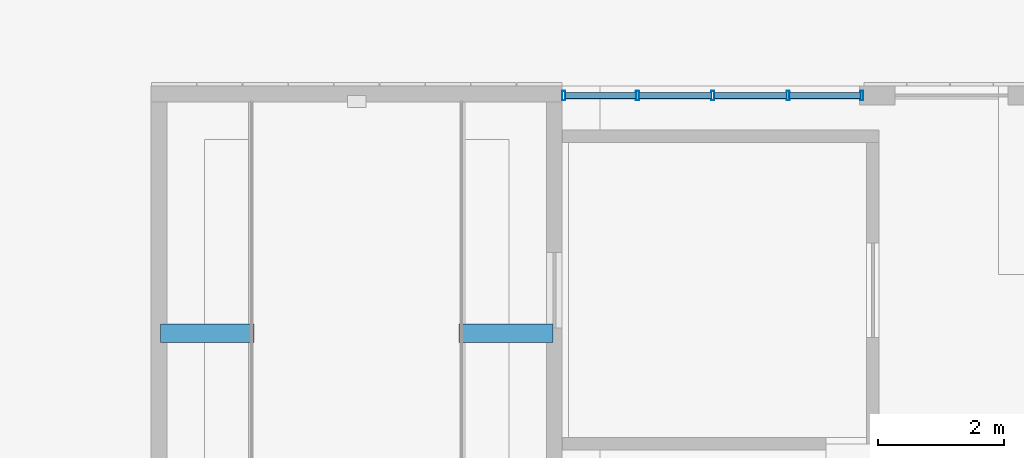
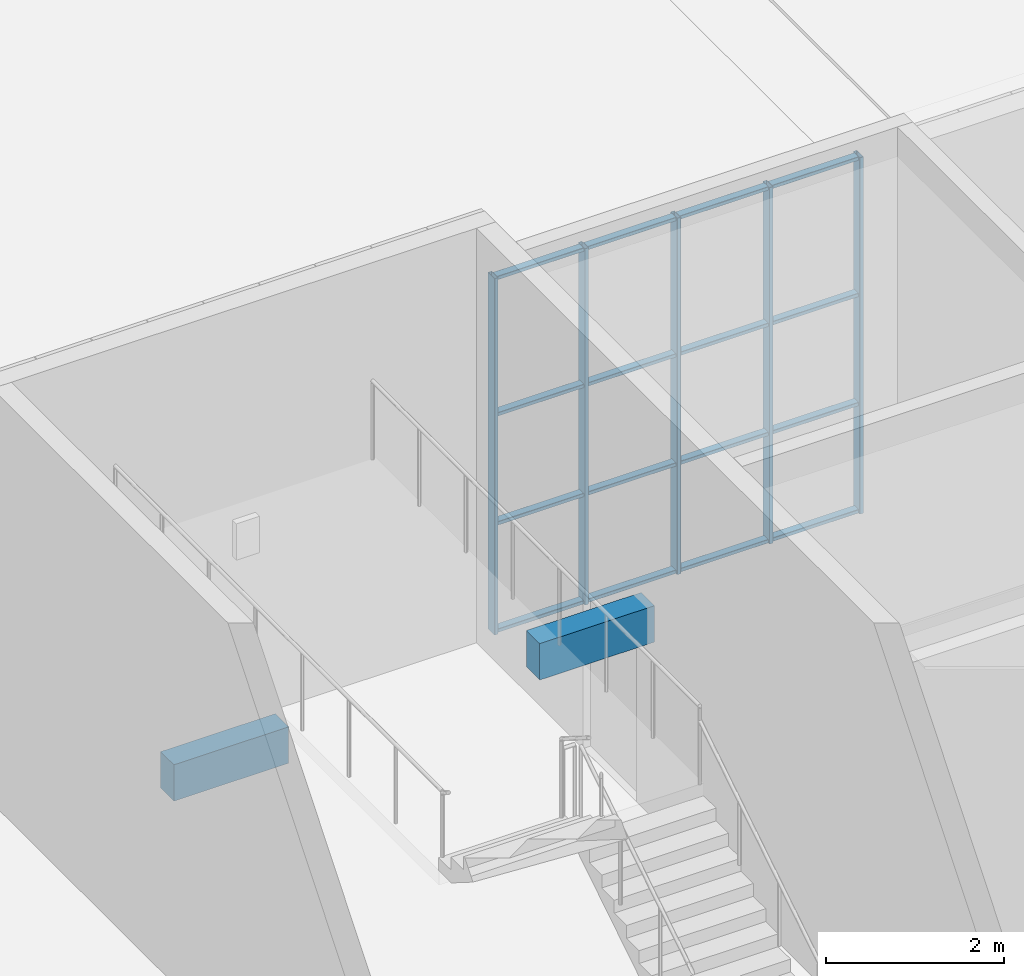
# One storey, part 19 of 125: 21 members, 2 beams, 1 element without a shape of its own.
"""IFC4 building model written with IfcOpenShell, lengths in metres."""

from ifc_helpers import new_model, si_unit, direction, frame, origin, origin_2d, place, context, subcontext, project, spatial, rectangle, hollow_rectangle, extrude, material, material_profile, profile_set, type_object, element, aggregate, save


model = new_model("IFC4")

# Units and contexts
model_context = context("Model", 3, precision=1e-05, world=origin(), true_north=direction((0.0, 1.0)))
body_context = subcontext(model_context, "Body", "Model", "MODEL_VIEW")
ifc_project = project(units=[si_unit("LENGTHUNIT", "METRE"), si_unit("AREAUNIT", "SQUARE_METRE"), si_unit("VOLUMEUNIT", "CUBIC_METRE"), si_unit("PLANEANGLEUNIT", "RADIAN"), si_unit("MASSUNIT", "GRAM", prefix="KILO")], contexts=[model_context])

# Site, building, storey
site_placement = place(None, origin())
site = spatial("IfcSite", under=ifc_project, at=site_placement, CompositionType="ELEMENT")
building_placement = place(site_placement, origin())
building = spatial("IfcBuilding", under=site, at=building_placement, Name="Sun Court Science Centre", CompositionType="ELEMENT")
storey_placement = place(building_placement, origin())
storey = spatial("IfcBuildingStorey", under=building, at=storey_placement, Name="L00", CompositionType="ELEMENT", Elevation=0.0)

# Curtain wall, members
ifc_material_1 = material(Name="Aluminium EN AW-6063 T6", Category="aluminium")
curtain_wall_type = type_object("IfcCurtainWallType", Name="Pavilion curtain wall 1200", PredefinedType="NOTDEFINED", material=ifc_material_1)
curtain_wall_placement = place(storey_placement, origin())
curtain_wall = element("IfcCurtainWall", 1, at=curtain_wall_placement, inside=storey, type_object=curtain_wall_type, Name="Curtain wall V5 N L00 01", PredefinedType="NOTDEFINED")
ifc_material_2 = material(Name="Aluminium EN AW-6063 T6", Category="aluminium")
ifc_material_profile_1 = material_profile(ifc_material_2, hollow_rectangle(XDim=0.050048828125, YDim=0.14990234375, WallThickness=0.00390625, InnerFilletRadius=0.00390625, OuterFilletRadius=0.006103515625, at=origin_2d()), Name="AL 50x150x4")
ifc_profile_set_1 = profile_set([ifc_material_profile_1], Name="Aluminium EN AW-6063 T6")
member_type_1 = type_object("IfcMemberType", Name="Curtain wall mullion AL 50x150", PredefinedType="MULLION", material=ifc_profile_set_1)
member_1_placement = place(storey_placement, frame((42.574951171875, 49.85009765625, 0.0), z_axis=(0.0, 0.0, 1.0), x_axis=(1.0, 0.0, 0.0)))
member_1 = element("IfcMember", 2, at=member_1_placement, type_object=member_type_1, Name="CW3-11 mullion 1", PredefinedType="MULLION", context=body_context, shape_type="SweptSolid", body=[
    extrude(hollow_rectangle(XDim=0.050048828125, YDim=0.14990234375, WallThickness=0.00390625, InnerFilletRadius=0.00390625, OuterFilletRadius=0.006103515625, at=origin_2d()), origin(), (0.0, 0.0, 1.0), 4.89990234375),
])
member_2_placement = place(storey_placement, frame((43.75, 49.85009765625, 0.0), z_axis=(0.0, 0.0, 1.0), x_axis=(1.0, 0.0, 0.0)))
member_2 = element("IfcMember", 3, at=member_2_placement, type_object=member_type_1, Name="CW3-11 mullion 2", PredefinedType="MULLION", context=body_context, shape_type="SweptSolid", body=[
    extrude(hollow_rectangle(XDim=0.050048828125, YDim=0.14990234375, WallThickness=0.00390625, InnerFilletRadius=0.00390625, OuterFilletRadius=0.006103515625, at=origin_2d()), origin(), (0.0, 0.0, 1.0), 4.89990234375),
])
member_3_placement = place(storey_placement, frame((44.949951171875, 49.85009765625, 0.0), z_axis=(0.0, 0.0, 1.0), x_axis=(1.0, 0.0, 0.0)))
member_3 = element("IfcMember", 4, at=member_3_placement, type_object=member_type_1, Name="CW3-11 mullion 3", PredefinedType="MULLION", context=body_context, shape_type="SweptSolid", body=[
    extrude(hollow_rectangle(XDim=0.050048828125, YDim=0.14990234375, WallThickness=0.00390625, InnerFilletRadius=0.00390625, OuterFilletRadius=0.006103515625, at=origin_2d()), origin(), (0.0, 0.0, 1.0), 4.89990234375),
])
member_4_placement = place(storey_placement, frame((46.14990234375, 49.85009765625, 0.0), z_axis=(0.0, 0.0, 1.0), x_axis=(1.0, 0.0, 0.0)))
member_4 = element("IfcMember", 5, at=member_4_placement, type_object=member_type_1, Name="CW3-11 mullion 4", PredefinedType="MULLION", context=body_context, shape_type="SweptSolid", body=[
    extrude(hollow_rectangle(XDim=0.050048828125, YDim=0.14990234375, WallThickness=0.00390625, InnerFilletRadius=0.00390625, OuterFilletRadius=0.006103515625, at=origin_2d()), origin(), (0.0, 0.0, 1.0), 4.89990234375),
])
member_5_placement = place(storey_placement, frame((47.324951171875, 49.85009765625, 0.0), z_axis=(0.0, 0.0, 1.0), x_axis=(1.0, 0.0, 0.0)))
member_5 = element("IfcMember", 6, at=member_5_placement, type_object=member_type_1, Name="CW3-11 mullion 5", PredefinedType="MULLION", context=body_context, shape_type="SweptSolid", body=[
    extrude(hollow_rectangle(XDim=0.050048828125, YDim=0.14990234375, WallThickness=0.00390625, InnerFilletRadius=0.00390625, OuterFilletRadius=0.006103515625, at=origin_2d()), origin(), (0.0, 0.0, 1.0), 4.89990234375),
])
ifc_material_3 = material(Name="Aluminium EN AW-6063 T6", Category="aluminium")
ifc_material_profile_2 = material_profile(ifc_material_3, hollow_rectangle(XDim=0.050048828125, YDim=0.10009765625, WallThickness=0.00390625, InnerFilletRadius=0.00390625, OuterFilletRadius=0.006103515625, at=origin_2d()), Name="AL 50x100x4")
ifc_profile_set_2 = profile_set([ifc_material_profile_2], Name="Aluminium EN AW-6063 T6")
member_type_2 = type_object("IfcMemberType", Name="Curtain wall transom AL 50x100", PredefinedType="USERDEFINED", material=ifc_profile_set_2)
member_6_placement = place(storey_placement, frame((42.60009765625, 49.85009765625, 0.02490234375), z_axis=(1.0, 0.0, 0.0), x_axis=(0.0, 0.0, 1.0)))
member_6 = element("IfcMember", 7, at=member_6_placement, type_object=member_type_2, Name="CW3-11 transom 1.1", ObjectType="TRANSOM", PredefinedType="USERDEFINED", context=body_context, shape_type="SweptSolid", body=[
    extrude(hollow_rectangle(XDim=0.050048828125, YDim=0.10009765625, WallThickness=0.00390625, InnerFilletRadius=0.00390625, OuterFilletRadius=0.006103515625, at=origin_2d()), origin(), (0.0, 0.0, 1.0), 1.125),
])
member_7_placement = place(storey_placement, frame((43.77490234375, 49.85009765625, 0.02490234375), z_axis=(1.0, 0.0, 0.0), x_axis=(0.0, 0.0, 1.0)))
member_7 = element("IfcMember", 8, at=member_7_placement, type_object=member_type_2, Name="CW3-11 transom 2.1", ObjectType="TRANSOM", PredefinedType="USERDEFINED", context=body_context, shape_type="SweptSolid", body=[
    extrude(hollow_rectangle(XDim=0.050048828125, YDim=0.10009765625, WallThickness=0.00390625, InnerFilletRadius=0.00390625, OuterFilletRadius=0.006103515625, at=origin_2d()), origin(), (0.0, 0.0, 1.0), 1.150146484375),
])
member_8_placement = place(storey_placement, frame((44.97509765625, 49.85009765625, 0.02490234375), z_axis=(1.0, 0.0, 0.0), x_axis=(0.0, 0.0, 1.0)))
member_8 = element("IfcMember", 9, at=member_8_placement, type_object=member_type_2, Name="CW3-11 transom 3.1", ObjectType="TRANSOM", PredefinedType="USERDEFINED", context=body_context, shape_type="SweptSolid", body=[
    extrude(hollow_rectangle(XDim=0.050048828125, YDim=0.10009765625, WallThickness=0.00390625, InnerFilletRadius=0.00390625, OuterFilletRadius=0.006103515625, at=origin_2d()), origin(), (0.0, 0.0, 1.0), 1.14990234375),
])
member_9_placement = place(storey_placement, frame((46.175048828125, 49.85009765625, 0.02490234375), z_axis=(1.0, 0.0, 0.0), x_axis=(0.0, 0.0, 1.0)))
member_9 = element("IfcMember", 10, at=member_9_placement, type_object=member_type_2, Name="CW3-11 transom 4.1", ObjectType="TRANSOM", PredefinedType="USERDEFINED", context=body_context, shape_type="SweptSolid", body=[
    extrude(hollow_rectangle(XDim=0.050048828125, YDim=0.10009765625, WallThickness=0.00390625, InnerFilletRadius=0.00390625, OuterFilletRadius=0.006103515625, at=origin_2d()), origin(), (0.0, 0.0, 1.0), 1.125),
])
member_10_placement = place(storey_placement, frame((42.60009765625, 49.85009765625, 1.5), z_axis=(1.0, 0.0, 0.0), x_axis=(0.0, 0.0, 1.0)))
member_10 = element("IfcMember", 11, at=member_10_placement, type_object=member_type_2, Name="CW3-11 transom 1.2", ObjectType="TRANSOM", PredefinedType="USERDEFINED", context=body_context, shape_type="SweptSolid", body=[
    extrude(hollow_rectangle(XDim=0.050048828125, YDim=0.10009765625, WallThickness=0.00390625, InnerFilletRadius=0.00390625, OuterFilletRadius=0.006103515625, at=origin_2d()), origin(), (0.0, 0.0, 1.0), 1.125),
])
member_11_placement = place(storey_placement, frame((43.77490234375, 49.85009765625, 1.5), z_axis=(1.0, 0.0, 0.0), x_axis=(0.0, 0.0, 1.0)))
member_11 = element("IfcMember", 12, at=member_11_placement, type_object=member_type_2, Name="CW3-11 transom 2.2", ObjectType="TRANSOM", PredefinedType="USERDEFINED", context=body_context, shape_type="SweptSolid", body=[
    extrude(hollow_rectangle(XDim=0.050048828125, YDim=0.10009765625, WallThickness=0.00390625, InnerFilletRadius=0.00390625, OuterFilletRadius=0.006103515625, at=origin_2d()), origin(), (0.0, 0.0, 1.0), 1.150146484375),
])
member_12_placement = place(storey_placement, frame((44.97509765625, 49.85009765625, 1.5), z_axis=(1.0, 0.0, 0.0), x_axis=(0.0, 0.0, 1.0)))
member_12 = element("IfcMember", 13, at=member_12_placement, type_object=member_type_2, Name="CW3-11 transom 3.2", ObjectType="TRANSOM", PredefinedType="USERDEFINED", context=body_context, shape_type="SweptSolid", body=[
    extrude(hollow_rectangle(XDim=0.050048828125, YDim=0.10009765625, WallThickness=0.00390625, InnerFilletRadius=0.00390625, OuterFilletRadius=0.006103515625, at=origin_2d()), origin(), (0.0, 0.0, 1.0), 1.14990234375),
])
member_13_placement = place(storey_placement, frame((46.175048828125, 49.85009765625, 1.5), z_axis=(1.0, 0.0, 0.0), x_axis=(0.0, 0.0, 1.0)))
member_13 = element("IfcMember", 14, at=member_13_placement, type_object=member_type_2, Name="CW3-11 transom 4.2", ObjectType="TRANSOM", PredefinedType="USERDEFINED", context=body_context, shape_type="SweptSolid", body=[
    extrude(hollow_rectangle(XDim=0.050048828125, YDim=0.10009765625, WallThickness=0.00390625, InnerFilletRadius=0.00390625, OuterFilletRadius=0.006103515625, at=origin_2d()), origin(), (0.0, 0.0, 1.0), 1.125),
])
member_14_placement = place(storey_placement, frame((42.60009765625, 49.85009765625, 3.0), z_axis=(1.0, 0.0, 0.0), x_axis=(0.0, 0.0, 1.0)))
member_14 = element("IfcMember", 15, at=member_14_placement, type_object=member_type_2, Name="CW3-11 transom 1.3", ObjectType="TRANSOM", PredefinedType="USERDEFINED", context=body_context, shape_type="SweptSolid", body=[
    extrude(hollow_rectangle(XDim=0.050048828125, YDim=0.10009765625, WallThickness=0.00390625, InnerFilletRadius=0.00390625, OuterFilletRadius=0.006103515625, at=origin_2d()), origin(), (0.0, 0.0, 1.0), 1.125),
])
member_15_placement = place(storey_placement, frame((43.77490234375, 49.85009765625, 3.0), z_axis=(1.0, 0.0, 0.0), x_axis=(0.0, 0.0, 1.0)))
member_15 = element("IfcMember", 16, at=member_15_placement, type_object=member_type_2, Name="CW3-11 transom 2.3", ObjectType="TRANSOM", PredefinedType="USERDEFINED", context=body_context, shape_type="SweptSolid", body=[
    extrude(hollow_rectangle(XDim=0.050048828125, YDim=0.10009765625, WallThickness=0.00390625, InnerFilletRadius=0.00390625, OuterFilletRadius=0.006103515625, at=origin_2d()), origin(), (0.0, 0.0, 1.0), 1.150146484375),
])
member_16_placement = place(storey_placement, frame((44.97509765625, 49.85009765625, 3.0), z_axis=(1.0, 0.0, 0.0), x_axis=(0.0, 0.0, 1.0)))
member_16 = element("IfcMember", 17, at=member_16_placement, type_object=member_type_2, Name="CW3-11 transom 3.3", ObjectType="TRANSOM", PredefinedType="USERDEFINED", context=body_context, shape_type="SweptSolid", body=[
    extrude(hollow_rectangle(XDim=0.050048828125, YDim=0.10009765625, WallThickness=0.00390625, InnerFilletRadius=0.00390625, OuterFilletRadius=0.006103515625, at=origin_2d()), origin(), (0.0, 0.0, 1.0), 1.14990234375),
])
member_17_placement = place(storey_placement, frame((46.175048828125, 49.85009765625, 3.0), z_axis=(1.0, 0.0, 0.0), x_axis=(0.0, 0.0, 1.0)))
member_17 = element("IfcMember", 18, at=member_17_placement, type_object=member_type_2, Name="CW3-11 transom 4.3", ObjectType="TRANSOM", PredefinedType="USERDEFINED", context=body_context, shape_type="SweptSolid", body=[
    extrude(hollow_rectangle(XDim=0.050048828125, YDim=0.10009765625, WallThickness=0.00390625, InnerFilletRadius=0.00390625, OuterFilletRadius=0.006103515625, at=origin_2d()), origin(), (0.0, 0.0, 1.0), 1.125),
])
member_18_placement = place(storey_placement, frame((42.60009765625, 49.85009765625, 4.875), z_axis=(1.0, 0.0, 0.0), x_axis=(0.0, 0.0, 1.0)))
member_18 = element("IfcMember", 19, at=member_18_placement, type_object=member_type_2, Name="CW3-11 transom 1.4", ObjectType="TRANSOM", PredefinedType="USERDEFINED", context=body_context, shape_type="SweptSolid", body=[
    extrude(hollow_rectangle(XDim=0.050048828125, YDim=0.10009765625, WallThickness=0.00390625, InnerFilletRadius=0.00390625, OuterFilletRadius=0.006103515625, at=origin_2d()), origin(), (0.0, 0.0, 1.0), 1.125),
])
member_19_placement = place(storey_placement, frame((43.77490234375, 49.85009765625, 4.875), z_axis=(1.0, 0.0, 0.0), x_axis=(0.0, 0.0, 1.0)))
member_19 = element("IfcMember", 20, at=member_19_placement, type_object=member_type_2, Name="CW3-11 transom 2.4", ObjectType="TRANSOM", PredefinedType="USERDEFINED", context=body_context, shape_type="SweptSolid", body=[
    extrude(hollow_rectangle(XDim=0.050048828125, YDim=0.10009765625, WallThickness=0.00390625, InnerFilletRadius=0.00390625, OuterFilletRadius=0.006103515625, at=origin_2d()), origin(), (0.0, 0.0, 1.0), 1.150146484375),
])
member_20_placement = place(storey_placement, frame((44.97509765625, 49.85009765625, 4.875), z_axis=(1.0, 0.0, 0.0), x_axis=(0.0, 0.0, 1.0)))
member_20 = element("IfcMember", 21, at=member_20_placement, type_object=member_type_2, Name="CW3-11 transom 3.4", ObjectType="TRANSOM", PredefinedType="USERDEFINED", context=body_context, shape_type="SweptSolid", body=[
    extrude(hollow_rectangle(XDim=0.050048828125, YDim=0.10009765625, WallThickness=0.00390625, InnerFilletRadius=0.00390625, OuterFilletRadius=0.006103515625, at=origin_2d()), origin(), (0.0, 0.0, 1.0), 1.14990234375),
])
member_21_placement = place(storey_placement, frame((46.175048828125, 49.85009765625, 4.875), z_axis=(1.0, 0.0, 0.0), x_axis=(0.0, 0.0, 1.0)))
member_21 = element("IfcMember", 22, at=member_21_placement, type_object=member_type_2, Name="CW3-11 transom 4.4", ObjectType="TRANSOM", PredefinedType="USERDEFINED", context=body_context, shape_type="SweptSolid", body=[
    extrude(hollow_rectangle(XDim=0.050048828125, YDim=0.10009765625, WallThickness=0.00390625, InnerFilletRadius=0.00390625, OuterFilletRadius=0.006103515625, at=origin_2d()), origin(), (0.0, 0.0, 1.0), 1.125),
])
aggregate(curtain_wall, [member_1, member_2, member_3, member_4, member_5, member_6, member_7, member_8, member_9, member_10, member_11, member_12, member_13, member_14, member_15, member_16, member_17, member_18, member_19, member_20, member_21])

# Beams
ifc_material_4 = material(Name="Concrete C25/30", Category="concrete")
ifc_material_profile_3 = material_profile(ifc_material_4, rectangle(XDim=0.300048828125, YDim=0.5, at=origin_2d()), Name="RC 300x500")
ifc_profile_set_3 = profile_set([ifc_material_profile_3], Name="Concrete C25/30")
beam_type = type_object("IfcBeamType", Name="RC landing trimmer 300x500", PredefinedType="BEAM", material=ifc_profile_set_3)
beam_1_placement = place(storey_placement, frame((42.39990234375, 46.06396484375, 2.550048828125), z_axis=(-1.0, 0.0, 0.0), x_axis=(0.0, -1.0, 0.0)))
element("IfcBeam", 23, at=beam_1_placement, inside=storey, type_object=beam_type, Name="SP1 landing 1 trimmer beam 1", PredefinedType="BEAM", context=body_context, shape_type="SweptSolid", body=[
    extrude(rectangle(XDim=0.300048828125, YDim=0.5, at=origin_2d()), origin(), (0.0, 0.0, 1.0), 1.491943359375),
])
beam_2_placement = place(storey_placement, frame((36.14990234375, 46.06396484375, 2.550048828125), z_axis=(1.0, 0.0, 0.0), x_axis=(0.0, 1.0, 0.0)))
element("IfcBeam", 24, at=beam_2_placement, inside=storey, type_object=beam_type, Name="SP1 landing 1 trimmer beam 2", PredefinedType="BEAM", context=body_context, shape_type="SweptSolid", body=[
    extrude(rectangle(XDim=0.300048828125, YDim=0.5, at=origin_2d()), origin(), (0.0, 0.0, 1.0), 1.4921875),
])

save(model, "model.ifc")
